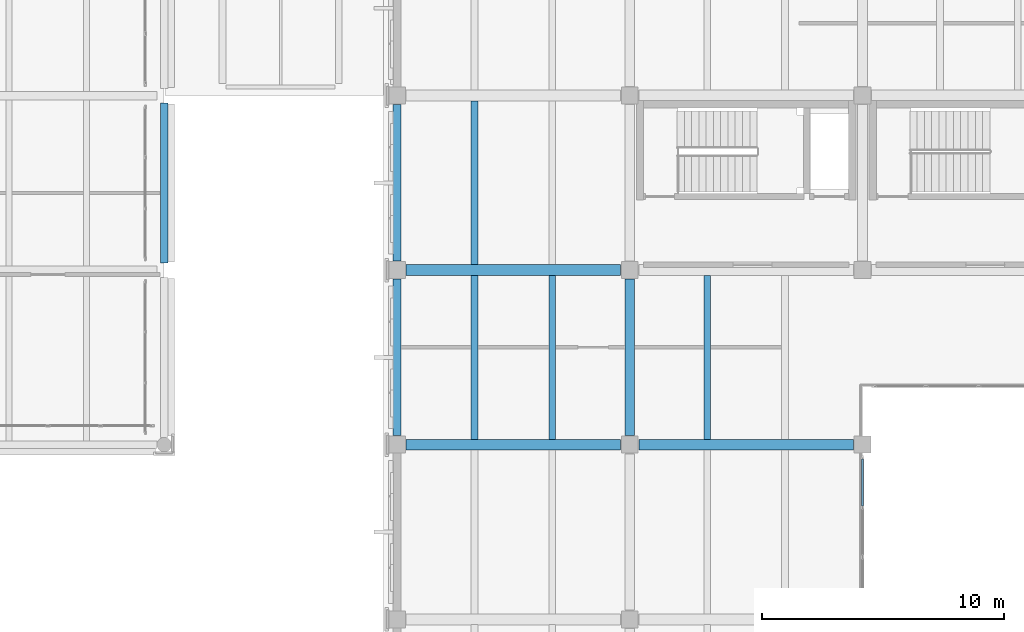
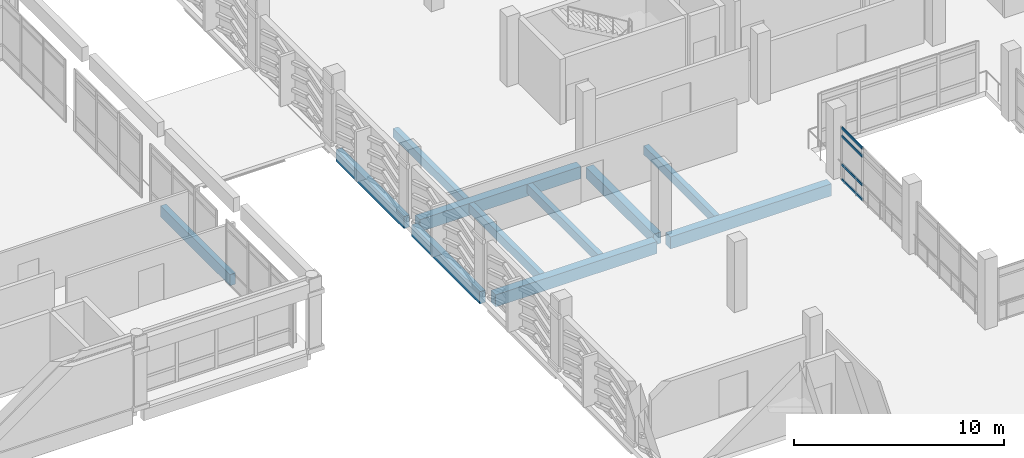
# One storey, part 71 of 180: 11 beams, 4 members, 1 element without a shape of its own.
"""IFC4 building model written with IfcOpenShell, lengths in metres."""

import ifcopenshell
import ifcopenshell.guid

model = None  # the IFC model being written
_history = None  # IfcOwnerHistory: only IFC2X3 demands one
_inside = {}  # id of a spatial element -> (the spatial element, [elements in it])
_under = {}  # id of a project, library or spatial element -> (it, [spatial elements below it])
_declared = {}  # id of a project -> (the project, [libraries it declares])
_typed = {}  # id of a type object -> (the type object, [elements of that type])
_made_of = {}  # id of a material, layer set ... -> (it, [elements and type objects made of it])


def new_model(schema):
    """Start an empty IFC model of exactly this schema.

    Asked for "IFC4X3", IfcOpenShell would pick the latest addendum, in which some entities
    have other attributes; the version numbers below select the first issue.
    IFC2X3 requires an IfcOwnerHistory on every rooted entity: one is made here for all.
    """
    global model, _history
    if schema == "IFC4X3":
        model = ifcopenshell.file(schema_version=(4, 3, 0, 0))
    else:
        model = ifcopenshell.file(schema=schema)
    _inside.clear()
    _under.clear()
    _declared.clear()
    _typed.clear()
    _made_of.clear()
    _history = None
    if model.schema == "IFC2X3":
        org = make("IfcOrganization", Name="unknown")
        user = make(
            "IfcPersonAndOrganization",
            ThePerson=make("IfcPerson", FamilyName="unknown"),
            TheOrganization=org,
        )
        app = make(
            "IfcApplication",
            ApplicationDeveloper=org,
            Version="unknown",
            ApplicationFullName="unknown",
            ApplicationIdentifier="unknown",
        )
        _history = make(
            "IfcOwnerHistory",
            OwningUser=user,
            OwningApplication=app,
            ChangeAction="ADDED",
            CreationDate=0,
        )
    return model


def make(cls, **values):
    """One entity of the class cls with the attributes given. An attribute that is None is left unset."""
    return model.create_entity(
        cls, **{name: value for name, value in values.items() if value is not None}
    )


def rooted(cls, **values):
    """An entity with a GlobalId (a new one), such as an element, a storey or a relation."""
    return make(cls, GlobalId=ifcopenshell.guid.new(), OwnerHistory=_history, **values)


def si_unit(unit_type, name, prefix=None):
    """IfcSIUnit, for example si_unit("LENGTHUNIT", "METRE", prefix="MILLI")."""
    return make("IfcSIUnit", UnitType=unit_type, Prefix=prefix, Name=name)


def assignment(units):
    """IfcUnitAssignment: the units of a project."""
    return None if units is None else make("IfcUnitAssignment", Units=units)


def point(xyz):
    """IfcCartesianPoint."""
    return None if xyz is None else make("IfcCartesianPoint", Coordinates=xyz)


def direction(xyz):
    """IfcDirection."""
    return None if xyz is None else make("IfcDirection", DirectionRatios=xyz)


def frame(location, z_axis=None, x_axis=None):
    """IfcAxis2Placement3D, a coordinate frame: its origin and axes. An axis left out is left unset."""
    return make(
        "IfcAxis2Placement3D",
        Location=point(location),
        Axis=direction(z_axis),
        RefDirection=direction(x_axis),
    )


def frame_2d(location, x_axis=None):
    """IfcAxis2Placement2D, a coordinate frame in the plane: its origin and x axis."""
    return make(
        "IfcAxis2Placement2D", Location=point(location), RefDirection=direction(x_axis)
    )


def origin():
    """The frame at (0, 0, 0) with its axes left unset."""
    return frame((0.0, 0.0, 0.0))


def origin_2d():
    """The frame at (0, 0) in the plane with its x axis left unset."""
    return frame_2d((0.0, 0.0))


def place(relative_to, where):
    """IfcLocalPlacement: puts the frame where relative to a parent placement (None: the world)."""
    return make(
        "IfcLocalPlacement", PlacementRelTo=relative_to, RelativePlacement=where
    )


def context(
    kind, dimensions, precision=None, world=None, true_north=None, identifier=None
):
    """IfcGeometricRepresentationContext, for example the 3D "Model" context."""
    return make(
        "IfcGeometricRepresentationContext",
        ContextIdentifier=identifier,
        ContextType=kind,
        CoordinateSpaceDimension=dimensions,
        Precision=precision,
        WorldCoordinateSystem=world,
        TrueNorth=true_north,
    )


def subcontext(parent, identifier, kind, view, scale=None):
    """IfcGeometricRepresentationSubContext, for example "Body" below "Model"."""
    return make(
        "IfcGeometricRepresentationSubContext",
        ContextIdentifier=identifier,
        ContextType=kind,
        ParentContext=parent,
        TargetScale=scale,
        TargetView=view,
    )


def project(units=None, contexts=None):
    """IfcProject with its units and contexts."""
    return rooted(
        "IfcProject",
        Name="project",
        RepresentationContexts=contexts,
        UnitsInContext=assignment(units),
    )


def spatial(cls, under=None, at=None, **own):
    """A site, building, storey or space (cls), placed at a placement, below another one or the project."""
    s = rooted(cls, ObjectPlacement=at, **own)
    if under is not None:
        _under.setdefault(under.id(), (under, []))[1].append(s)
    return s


def profile(cls, at=None, kind="AREA", **sizes):
    """A parametric profile (cls). Its sizes go by their IFC names, for example OverallWidth=200.0."""
    return make(cls, ProfileType=kind, Position=at, **sizes)


def rectangle(**sizes):
    """IfcRectangleProfileDef."""
    return profile("IfcRectangleProfileDef", **sizes)


def hollow_rectangle(**sizes):
    """IfcRectangleHollowProfileDef."""
    return profile("IfcRectangleHollowProfileDef", **sizes)


def extrude(swept, where, along, depth):
    """IfcExtrudedAreaSolid: the profile swept, set in the frame where, extruded along a direction by depth."""
    return make(
        "IfcExtrudedAreaSolid",
        SweptArea=swept,
        Position=where,
        ExtrudedDirection=direction(along),
        Depth=depth,
    )


def shape(context_of_items, identifier, shape_type, items):
    """IfcShapeRepresentation: the items that make up one representation, for example the "Body"."""
    return make(
        "IfcShapeRepresentation",
        ContextOfItems=context_of_items,
        RepresentationIdentifier=identifier,
        RepresentationType=shape_type,
        Items=items,
    )


def material(Name=None, Category=None):
    """IfcMaterial."""
    return make("IfcMaterial", Name=Name, Category=Category)


def layer(
    of_material, thickness, ventilated=None, Name=None, Category=None, Priority=None
):
    """IfcMaterialLayer: one layer of a wall or slab, of a material (None: an air gap)."""
    return make(
        "IfcMaterialLayer",
        Material=of_material,
        LayerThickness=thickness,
        IsVentilated=ventilated,
        Name=Name,
        Category=Category,
        Priority=Priority,
    )


def layer_set(layers, Name=None):
    """IfcMaterialLayerSet."""
    return make("IfcMaterialLayerSet", MaterialLayers=layers, LayerSetName=Name)


def material_profile(
    of_material, cross_section, Name=None, Category=None, Priority=None
):
    """IfcMaterialProfile: a cross section and its material."""
    return make(
        "IfcMaterialProfile",
        Name=Name,
        Material=of_material,
        Profile=cross_section,
        Priority=Priority,
        Category=Category,
    )


def profile_set(profiles, Name=None, composite=None):
    """IfcMaterialProfileSet."""
    return make(
        "IfcMaterialProfileSet",
        Name=Name,
        MaterialProfiles=profiles,
        CompositeProfile=composite,
    )


def made_of(thing, what):
    """Note that an element or type object is made of a material, layer set ...; save() writes the relation."""
    if what is not None:
        _made_of.setdefault(what.id(), (what, []))[1].append(thing)
    return thing


def type_object(cls, material=None, **own):
    """A type object (cls), such as IfcWallType, which elements share."""
    return made_of(rooted(cls, **own), material)


def element(
    cls,
    number,
    at=None,
    inside=None,
    cuts=None,
    type_object=None,
    material=None,
    context=None,
    identifier="Body",
    shape_type=None,
    held_by="IfcProductDefinitionShape",
    body=None,
    shapes=None,
    **own,
):
    """One element of the class cls, such as IfcWall. Its Tag is "e" and its number.

    at: its placement. inside: the storey or other place that contains it. cuts: it is an
    opening in that element (IfcRelVoidsElement). A single representation is given by context,
    identifier, shape_type and body (its items); several are given by shapes. held_by: the class
    of the entity that holds the representations. save() writes the other relations.
    """
    e = rooted(cls, Tag="e%d" % number, ObjectPlacement=at, **own)
    if body is not None:
        shapes = [shape(context, identifier, shape_type, body)]
    if shapes is not None:
        e.Representation = make(held_by, Representations=shapes)
    if inside is not None:
        _inside.setdefault(inside.id(), (inside, []))[1].append(e)
    if cuts is not None:
        rooted(
            "IfcRelVoidsElement", RelatingBuildingElement=cuts, RelatedOpeningElement=e
        )
    if type_object is not None:
        _typed.setdefault(type_object.id(), (type_object, []))[1].append(e)
    return made_of(e, material)


def aggregate(whole, parts):
    """IfcRelAggregates: a whole, such as a stair, and the parts it consists of."""
    return rooted("IfcRelAggregates", RelatingObject=whole, RelatedObjects=parts)


def save(model, path):
    """Write the relations noted so far, then the file.

    IfcRelAggregates (storeys below a building ...), IfcRelContainedInSpatialStructure (elements
    in a storey), IfcRelDefinesByType, IfcRelAssociatesMaterial and IfcRelDeclares: one each for
    every whole, place, type object, material and project.
    """
    for whole, parts in _under.values():
        aggregate(whole, parts)
    for where, things in _inside.values():
        rooted(
            "IfcRelContainedInSpatialStructure",
            RelatedElements=things,
            RelatingStructure=where,
        )
    for kind, things in _typed.values():
        rooted("IfcRelDefinesByType", RelatedObjects=things, RelatingType=kind)
    for what, things in _made_of.values():
        rooted("IfcRelAssociatesMaterial", RelatedObjects=things, RelatingMaterial=what)
    for by, libraries in _declared.values():
        rooted("IfcRelDeclares", RelatingContext=by, RelatedDefinitions=libraries)
    model.write(path)


model = new_model("IFC4")

# Units and contexts
model_context = context("Model", 3, precision=1e-05, world=origin(), true_north=direction((0.0, 1.0)))
body_context = subcontext(model_context, "Body", "Model", "MODEL_VIEW")
ifc_project = project(units=[si_unit("LENGTHUNIT", "METRE"), si_unit("AREAUNIT", "SQUARE_METRE"), si_unit("VOLUMEUNIT", "CUBIC_METRE"), si_unit("PLANEANGLEUNIT", "RADIAN"), si_unit("MASSUNIT", "GRAM", prefix="KILO")], contexts=[model_context])

# Site, building, storey
site_placement = place(None, origin())
site = spatial("IfcSite", under=ifc_project, at=site_placement, CompositionType="ELEMENT")
building_placement = place(site_placement, origin())
building = spatial("IfcBuilding", under=site, at=building_placement, Name="Asteropetra Specialist Clinic", CompositionType="ELEMENT")
storey_placement = place(building_placement, frame((0.0, 0.0, 4.419921875)))
storey = spatial("IfcBuildingStorey", under=building, at=storey_placement, Name="L01", CompositionType="ELEMENT", Elevation=4.419921875)

# Beams
ifc_material_1 = material(Name="Concrete C35/45", Category="concrete")
ifc_material_profile_1 = material_profile(ifc_material_1, rectangle(XDim=0.39990234375, YDim=0.64990234375, at=origin_2d()), Name="RCB 400x650")
ifc_profile_set_1 = profile_set([ifc_material_profile_1], Name="Concrete C35/45")
beam_type_1 = type_object("IfcBeamType", Name="BM-RC400x650", PredefinedType="BEAM", material=ifc_profile_set_1)
beam_1_placement = place(storey_placement, frame((115.199951171875, 33.97509765625, -0.625), z_axis=(0.0, 1.0, 0.0), x_axis=(-1.0, 0.0, 0.0)))
element("IfcBeam", 1, at=beam_1_placement, inside=storey, type_object=beam_type_1, Name="Beam BBM07-0510", PredefinedType="BEAM", context=body_context, shape_type="SweptSolid", body=[
    extrude(rectangle(XDim=0.39990234375, YDim=0.64990234375, at=origin_2d()), origin(), (0.0, 0.0, 1.0), 6.449951171875),
])
ifc_material_2 = material(Name="Concrete C35/45", Category="concrete")
ifc_material_profile_2 = material_profile(ifc_material_2, rectangle(XDim=0.449951171875, YDim=0.699951171875, at=origin_2d()), Name="RCB 450x700")
ifc_profile_set_2 = profile_set([ifc_material_profile_2], Name="Concrete C35/45")
beam_type_2 = type_object("IfcBeamType", Name="BM-RC450x700", PredefinedType="BEAM", material=ifc_profile_set_2)
beam_2_placement = place(storey_placement, frame((105.97509765625, 33.60009765625, -0.64990234375), z_axis=(1.0, 0.0, 0.0), x_axis=(0.0, 1.0, 0.0)))
element("IfcBeam", 2, at=beam_2_placement, inside=storey, type_object=beam_type_2, Name="Beam BBM05-0417", PredefinedType="BEAM", context=body_context, shape_type="SweptSolid", body=[
    extrude(rectangle(XDim=0.449951171875, YDim=0.699951171875, at=origin_2d()), origin(), (0.0, 0.0, 1.0), 8.849853515625),
])
beam_3_placement = place(storey_placement, frame((115.574951171875, 33.60009765625, -0.64990234375), z_axis=(1.0, 0.0, 0.0), x_axis=(0.0, 1.0, 0.0)))
element("IfcBeam", 3, at=beam_3_placement, inside=storey, type_object=beam_type_2, Name="Beam BBM05-0418", PredefinedType="BEAM", context=body_context, shape_type="SweptSolid", body=[
    extrude(rectangle(XDim=0.449951171875, YDim=0.699951171875, at=origin_2d()), origin(), (0.0, 0.0, 1.0), 8.85009765625),
])
beam_4_placement = place(storey_placement, frame((105.97509765625, 40.800048828125, -0.64990234375), z_axis=(1.0, 0.0, 0.0), x_axis=(0.0, 1.0, 0.0)))
element("IfcBeam", 4, at=beam_4_placement, inside=storey, type_object=beam_type_2, Name="Beam BBM05-0421", PredefinedType="BEAM", context=body_context, shape_type="SweptSolid", body=[
    extrude(rectangle(XDim=0.449951171875, YDim=0.699951171875, at=origin_2d()), origin(), (0.0, 0.0, 1.0), 8.849853515625),
])

# Curtain wall, members
ifc_material_3 = material(Name="Aluminium and low-E glass", Category="aluminium")
ifc_layer = layer(ifc_material_3, 0.14990234375)
ifc_layer_set = layer_set([ifc_layer], Name="Aluminium and low-E glass")
curtain_wall_type = type_object("IfcCurtainWallType", Name="CW-SYS-11", PredefinedType="USERDEFINED", material=ifc_layer_set)
curtain_wall_placement = place(storey_placement, origin())
curtain_wall = element("IfcCurtainWall", 5, at=curtain_wall_placement, inside=storey, type_object=curtain_wall_type, Name="Curtain Wall CW-075", ObjectType="STICK GLAZED COLONNADE", PredefinedType="USERDEFINED")
ifc_material_4 = material(Name="Aluminium 6063-T6", Category="aluminium")
ifc_material_profile_3 = material_profile(ifc_material_4, hollow_rectangle(XDim=0.074951171875, YDim=0.14990234375, WallThickness=0.00390625, InnerFilletRadius=0.00390625, OuterFilletRadius=0.008056640625, at=origin_2d()), Name="TRN 150x75x4.0")
ifc_profile_set_3 = profile_set([ifc_material_profile_3], Name="Aluminium 6063-T6")
member_type = type_object("IfcMemberType", Name="CWT-150x75", PredefinedType="USERDEFINED", material=ifc_profile_set_3)
member_1_placement = place(storey_placement, frame((124.800048828125, 33.014892578125, 0.03759765625), z_axis=(0.0, -1.0, 0.0), x_axis=(1.0, 0.0, 0.0)))
member_1 = element("IfcMember", 6, at=member_1_placement, type_object=member_type, Name="CW-075 transom 1.1", ObjectType="TRANSOM", PredefinedType="USERDEFINED", context=body_context, shape_type="SweptSolid", body=[
    extrude(hollow_rectangle(XDim=0.074951171875, YDim=0.14990234375, WallThickness=0.00390625, InnerFilletRadius=0.00390625, OuterFilletRadius=0.008056640625, at=origin_2d()), origin(), (0.0, 0.0, 1.0), 1.947509765625),
])
member_2_placement = place(storey_placement, frame((124.800048828125, 33.014892578125, 0.900146484375), z_axis=(0.0, -1.0, 0.0), x_axis=(1.0, 0.0, 0.0)))
member_2 = element("IfcMember", 7, at=member_2_placement, type_object=member_type, Name="CW-075 transom 1.2", ObjectType="TRANSOM", PredefinedType="USERDEFINED", context=body_context, shape_type="SweptSolid", body=[
    extrude(hollow_rectangle(XDim=0.074951171875, YDim=0.14990234375, WallThickness=0.00390625, InnerFilletRadius=0.00390625, OuterFilletRadius=0.008056640625, at=origin_2d()), origin(), (0.0, 0.0, 1.0), 1.947509765625),
])
member_3_placement = place(storey_placement, frame((124.800048828125, 33.014892578125, 2.56005859375), z_axis=(0.0, -1.0, 0.0), x_axis=(1.0, 0.0, 0.0)))
member_3 = element("IfcMember", 8, at=member_3_placement, type_object=member_type, Name="CW-075 transom 1.3", ObjectType="TRANSOM", PredefinedType="USERDEFINED", context=body_context, shape_type="SweptSolid", body=[
    extrude(hollow_rectangle(XDim=0.074951171875, YDim=0.14990234375, WallThickness=0.00390625, InnerFilletRadius=0.00390625, OuterFilletRadius=0.008056640625, at=origin_2d()), origin(), (0.0, 0.0, 1.0), 1.947509765625),
])
member_4_placement = place(storey_placement, frame((124.800048828125, 33.014892578125, 3.0224609375), z_axis=(0.0, -1.0, 0.0), x_axis=(1.0, 0.0, 0.0)))
member_4 = element("IfcMember", 9, at=member_4_placement, type_object=member_type, Name="CW-075 transom 1.4", ObjectType="TRANSOM", PredefinedType="USERDEFINED", context=body_context, shape_type="SweptSolid", body=[
    extrude(hollow_rectangle(XDim=0.074951171875, YDim=0.14990234375, WallThickness=0.00390625, InnerFilletRadius=0.00390625, OuterFilletRadius=0.008056640625, at=origin_2d()), origin(), (0.0, 0.0, 1.0), 1.947509765625),
])
aggregate(curtain_wall, [member_1, member_2, member_3, member_4])

# Beams
ifc_material_5 = material(Name="Concrete C35/45", Category="concrete")
ifc_material_profile_4 = material_profile(ifc_material_5, rectangle(XDim=0.280029296875, YDim=0.52001953125, at=origin_2d()), Name="RCJ 280x520")
ifc_profile_set_4 = profile_set([ifc_material_profile_4], Name="Concrete C35/45")
beam_type_3 = type_object("IfcBeamType", Name="JST-RC280x520", PredefinedType="JOIST", material=ifc_profile_set_4)
for number, where, z_axis, x_axis, name in (
    (10, (108.800048828125, 33.824951171875, -0.559814453125), (0.0, 1.0, 0.0), (-1.0, 0.0, 0.0), "Joist JJST01-0513"),
    (11, (112.0, 33.824951171875, -0.559814453125), (0.0, 1.0, 0.0), (-1.0, 0.0, 0.0), "Joist JJST01-0514"),
    (12, (118.39990234375, 33.824951171875, -0.559814453125), (0.0, 1.0, 0.0), (-1.0, 0.0, 0.0), "Joist JJST01-0515"),
    (13, (108.800048828125, 41.02490234375, -0.559814453125), (0.0, 1.0, 0.0), (-1.0, 0.0, 0.0), "Joist JJST01-0527"),
):
    element("IfcBeam", number, at=place(storey_placement, frame(where, z_axis=z_axis, x_axis=x_axis)), inside=storey, type_object=beam_type_3, Name=name, PredefinedType="JOIST", context=body_context, shape_type="SweptSolid", body=[
        extrude(rectangle(XDim=0.280029296875, YDim=0.52001953125, at=origin_2d()), origin(), (0.0, 0.0, 1.0), 6.75),
    ])
ifc_material_6 = material(Name="Concrete C35/45", Category="concrete")
ifc_material_profile_5 = material_profile(ifc_material_6, rectangle(XDim=0.300048828125, YDim=0.64990234375, at=origin_2d()), Name="RCS 300x650")
ifc_profile_set_5 = profile_set([ifc_material_profile_5], Name="Concrete C35/45")
beam_type_4 = type_object("IfcBeamType", Name="SPN-RC300x650", PredefinedType="SPANDREL", material=ifc_profile_set_5)
beam_5_placement = place(storey_placement, frame((96.0, 41.10009765625, -0.5849609375), z_axis=(0.0, 1.0, 0.0), x_axis=(-1.0, 0.0, 0.0)))
element("IfcBeam", 14, at=beam_5_placement, inside=storey, type_object=beam_type_4, Name="Beam BSPN03-0781", PredefinedType="SPANDREL", context=body_context, shape_type="SweptSolid", body=[
    extrude(rectangle(XDim=0.300048828125, YDim=0.64990234375, at=origin_2d()), origin(), (0.0, 0.0, 1.0), 6.599853515625),
])
ifc_material_7 = material(Name="Concrete C35/45", Category="concrete")
ifc_material_profile_6 = material_profile(ifc_material_7, rectangle(XDim=0.320068359375, YDim=0.699951171875, at=origin_2d()), Name="RCS 320x700")
ifc_profile_set_6 = profile_set([ifc_material_profile_6], Name="Concrete C35/45")
beam_type_5 = type_object("IfcBeamType", Name="SPN-RC320x700", PredefinedType="SPANDREL", material=ifc_profile_set_6)
for number, where, z_axis, x_axis, name in (
    (15, (105.60009765625, 33.97509765625, -0.64990234375), (0.0, 1.0, 0.0), (-1.0, 0.0, 0.0), "Beam BSPN02-0509"),
    (16, (105.60009765625, 41.175048828125, -0.64990234375), (0.0, 1.0, 0.0), (-1.0, 0.0, 0.0), "Beam BSPN02-0521"),
):
    element("IfcBeam", number, at=place(storey_placement, frame(where, z_axis=z_axis, x_axis=x_axis)), inside=storey, type_object=beam_type_5, Name=name, PredefinedType="SPANDREL", context=body_context, shape_type="SweptSolid", body=[
        extrude(rectangle(XDim=0.320068359375, YDim=0.699951171875, at=origin_2d()), origin(), (0.0, 0.0, 1.0), 6.449951171875),
    ])

save(model, "model.ifc")
